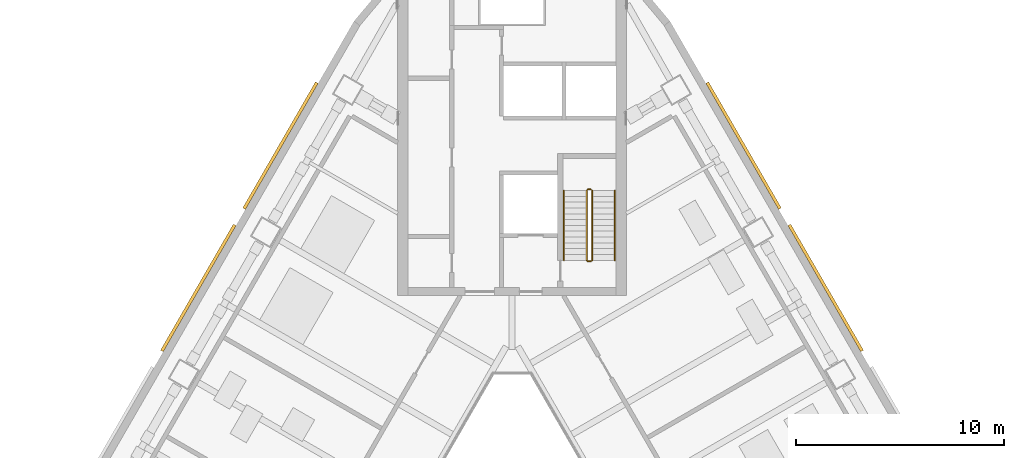
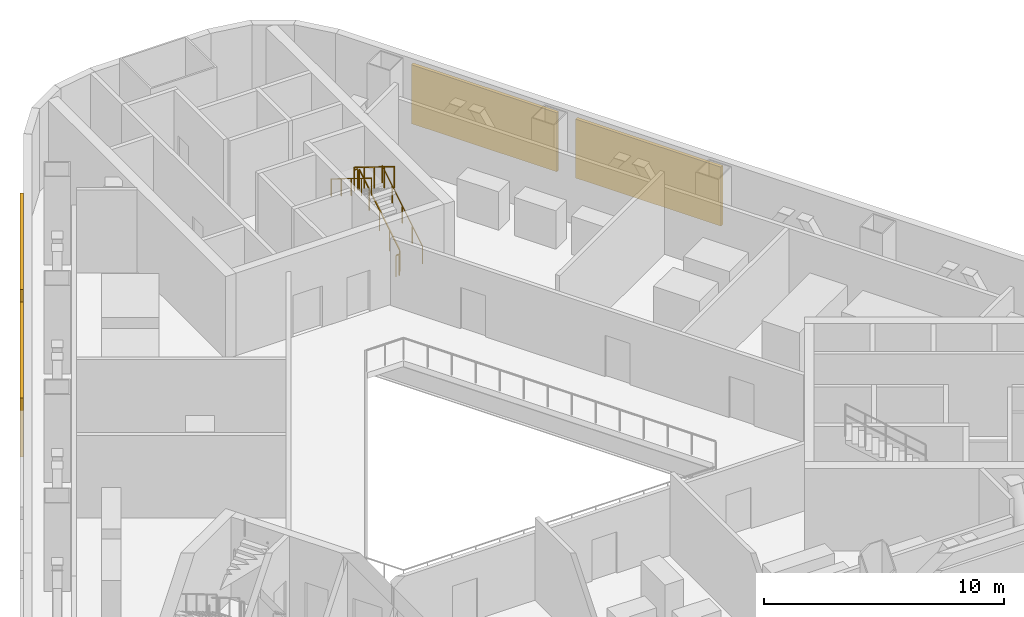
# One storey, part 14 of 15: 6 railings, 4 shading devices.
"""IFC4 building model written with IfcOpenShell, lengths in metres."""

from ifc_helpers import new_model, si_unit, direction, frame, origin, origin_2d, place, context, subcontext, project, spatial, rectangle, circle, extrude, material, type_object, element, save


model = new_model("IFC4")

# Units and contexts
model_context = context("Model", 3, precision=1e-05, world=origin(), true_north=direction((0.0, 1.0)))
body_context = subcontext(model_context, "Body", "Model", "MODEL_VIEW")
ifc_project = project(units=[si_unit("LENGTHUNIT", "METRE"), si_unit("AREAUNIT", "SQUARE_METRE"), si_unit("VOLUMEUNIT", "CUBIC_METRE"), si_unit("PLANEANGLEUNIT", "RADIAN"), si_unit("MASSUNIT", "GRAM", prefix="KILO")], contexts=[model_context])

# Site, building, storey
site_placement = place(None, origin())
site = spatial("IfcSite", under=ifc_project, at=site_placement, CompositionType="ELEMENT")
building_placement = place(site_placement, origin())
building = spatial("IfcBuilding", under=site, at=building_placement, Name="Apuvela Tower Hotel", CompositionType="ELEMENT")
storey_placement = place(building_placement, frame((0.0, 0.0, 37.5)))
storey = spatial("IfcBuildingStorey", under=building, at=storey_placement, Name="L06 Plant", CompositionType="ELEMENT", Elevation=37.5)

# Railings
ifc_material_1 = material(Name="Steel S275 balustrade", Category="steel")
railing_type_1 = type_object("IfcRailingType", Name="COR-GUARD-1100", PredefinedType="GUARDRAIL", material=ifc_material_1)
railing_1_placement = place(storey_placement, frame((3.85009765625, 14.60009765625, 0.173095703125)))
element("IfcRailing", 1, at=railing_1_placement, inside=storey, type_object=railing_type_1, Name="L06 Plant ST1 stair guard 1", PredefinedType="GUARDRAIL", context=body_context, shape_type="SweptSolid", body=[
    extrude(rectangle(XDim=0.048095703125, YDim=0.048095703125, at=origin_2d()), frame((0.0, 0.0, 1.076171875), z_axis=(0.0, 0.850606129759, 0.525803396734), x_axis=(-1.0, 0.0, 0.0)), (0.0, 0.0, 1.0), 3.949951171875),
    extrude(rectangle(XDim=0.0419921875, YDim=0.0419921875, at=origin_2d()), origin(), (0.0, 0.0, 1.0), 1.052001953125),
    extrude(rectangle(XDim=0.0419921875, YDim=0.0419921875, at=origin_2d()), frame((0.0, 0.83984375, 0.519287109375)), (0.0, 0.0, 1.0), 1.052001953125),
    extrude(rectangle(XDim=0.0419921875, YDim=0.0419921875, at=origin_2d()), frame((0.0, 1.679931640625, 1.03857421875)), (0.0, 0.0, 1.0), 1.052001953125),
    extrude(rectangle(XDim=0.0419921875, YDim=0.0419921875, at=origin_2d()), frame((0.0, 2.52001953125, 1.5576171875)), (0.0, 0.0, 1.0), 1.052001953125),
    extrude(rectangle(XDim=0.0419921875, YDim=0.0419921875, at=origin_2d()), frame((0.0, 3.35986328125, 2.076904296875)), (0.0, 0.0, 1.0), 1.052001953125),
])
railing_2_placement = place(storey_placement, frame((3.800048828125, 18.010009765625, 2.25)))
element("IfcRailing", 2, at=railing_2_placement, inside=storey, type_object=railing_type_1, Name="L06 Plant ST1 stair guard 2", PredefinedType="GUARDRAIL", context=body_context, shape_type="SweptSolid", body=[
    extrude(rectangle(XDim=0.048095703125, YDim=0.048095703125, at=origin_2d()), frame((0.0, 0.0, 1.076171875), z_axis=(-1.0, 0.0, 0.0), x_axis=(0.0, -1.0, 0.0)), (0.0, 0.0, 1.0), 0.150146484375),
    extrude(rectangle(XDim=0.0419921875, YDim=0.0419921875, at=origin_2d()), origin(), (0.0, 0.0, 1.0), 1.052001953125),
    extrude(rectangle(XDim=0.0419921875, YDim=0.0419921875, at=origin_2d()), frame((-0.150146484375, 0.0, 0.0)), (0.0, 0.0, 1.0), 1.052001953125),
])
railing_3_placement = place(storey_placement, frame((3.60009765625, 17.9599609375, 2.423095703125)))
element("IfcRailing", 3, at=railing_3_placement, inside=storey, type_object=railing_type_1, Name="L06 Plant ST1 stair guard 3", PredefinedType="GUARDRAIL", context=body_context, shape_type="SweptSolid", body=[
    extrude(rectangle(XDim=0.048095703125, YDim=0.048095703125, at=origin_2d()), frame((0.0, 0.0, 1.076171875), z_axis=(0.0, -0.850606129759, 0.525803396734), x_axis=(1.0, 0.0, 0.0)), (0.0, 0.0, 1.0), 3.949951171875),
    extrude(rectangle(XDim=0.0419921875, YDim=0.0419921875, at=origin_2d()), origin(), (0.0, 0.0, 1.0), 1.052001953125),
    extrude(rectangle(XDim=0.0419921875, YDim=0.0419921875, at=origin_2d()), frame((0.0, -0.83984375, 0.519287109375)), (0.0, 0.0, 1.0), 1.052001953125),
    extrude(rectangle(XDim=0.0419921875, YDim=0.0419921875, at=origin_2d()), frame((0.0, -1.679931640625, 1.03857421875)), (0.0, 0.0, 1.0), 1.052001953125),
    extrude(rectangle(XDim=0.0419921875, YDim=0.0419921875, at=origin_2d()), frame((0.0, -2.52001953125, 1.5576171875)), (0.0, 0.0, 1.0), 1.052001953125),
    extrude(rectangle(XDim=0.0419921875, YDim=0.0419921875, at=origin_2d()), frame((0.0, -3.35986328125, 2.076904296875)), (0.0, 0.0, 1.0), 1.052001953125),
])
railing_4_placement = place(storey_placement, frame((3.800048828125, 14.550048828125, 0.0)))
element("IfcRailing", 4, at=railing_4_placement, inside=storey, type_object=railing_type_1, Name="L06 Plant ST1 stair guard 4", PredefinedType="GUARDRAIL", context=body_context, shape_type="SweptSolid", body=[
    extrude(rectangle(XDim=0.048095703125, YDim=0.048095703125, at=origin_2d()), frame((0.0, 0.0, 1.076171875), z_axis=(-1.0, 0.0, 0.0), x_axis=(0.0, -1.0, 0.0)), (0.0, 0.0, 1.0), 0.150146484375),
    extrude(rectangle(XDim=0.0419921875, YDim=0.0419921875, at=origin_2d()), origin(), (0.0, 0.0, 1.0), 1.052001953125),
    extrude(rectangle(XDim=0.0419921875, YDim=0.0419921875, at=origin_2d()), frame((-0.150146484375, 0.0, 0.0)), (0.0, 0.0, 1.0), 1.052001953125),
])
ifc_material_2 = material(Name="Stainless steel 316 handrail", Category="steel")
railing_type_2 = type_object("IfcRailingType", Name="COR-HANDRAIL-900", PredefinedType="HANDRAIL", material=ifc_material_2)
railing_5_placement = place(storey_placement, frame((4.949951171875, 14.60009765625, 0.173095703125)))
element("IfcRailing", 5, at=railing_5_placement, inside=storey, type_object=railing_type_2, Name="L06 Plant ST1 stair handrail 1", PredefinedType="HANDRAIL", context=body_context, shape_type="SweptSolid", body=[
    extrude(circle(Radius=0.02392578125, at=origin_2d()), frame((0.0, 0.0, 0.8759765625), z_axis=(0.0, 0.850606129759, 0.525803396734), x_axis=(-1.0, 0.0, 0.0)), (0.0, 0.0, 1.0), 3.949951171875),
    extrude(rectangle(XDim=0.0419921875, YDim=0.0419921875, at=origin_2d()), origin(), (0.0, 0.0, 1.0), 0.851806640625),
    extrude(rectangle(XDim=0.0419921875, YDim=0.0419921875, at=origin_2d()), frame((0.0, 0.83984375, 0.519287109375)), (0.0, 0.0, 1.0), 0.851806640625),
    extrude(rectangle(XDim=0.0419921875, YDim=0.0419921875, at=origin_2d()), frame((0.0, 1.679931640625, 1.03857421875)), (0.0, 0.0, 1.0), 0.851806640625),
    extrude(rectangle(XDim=0.0419921875, YDim=0.0419921875, at=origin_2d()), frame((0.0, 2.52001953125, 1.5576171875)), (0.0, 0.0, 1.0), 0.851806640625),
    extrude(rectangle(XDim=0.0419921875, YDim=0.0419921875, at=origin_2d()), frame((0.0, 3.35986328125, 2.076904296875)), (0.0, 0.0, 1.0), 0.851806640625),
])
railing_6_placement = place(storey_placement, frame((2.5, 17.9599609375, 2.423095703125)))
element("IfcRailing", 6, at=railing_6_placement, inside=storey, type_object=railing_type_2, Name="L06 Plant ST1 stair handrail 2", PredefinedType="HANDRAIL", context=body_context, shape_type="SweptSolid", body=[
    extrude(circle(Radius=0.02392578125, at=origin_2d()), frame((0.0, 0.0, 0.8759765625), z_axis=(0.0, -0.850606129759, 0.525803396734), x_axis=(1.0, 0.0, 0.0)), (0.0, 0.0, 1.0), 3.949951171875),
    extrude(rectangle(XDim=0.0419921875, YDim=0.0419921875, at=origin_2d()), origin(), (0.0, 0.0, 1.0), 0.851806640625),
    extrude(rectangle(XDim=0.0419921875, YDim=0.0419921875, at=origin_2d()), frame((0.0, -0.83984375, 0.519287109375)), (0.0, 0.0, 1.0), 0.851806640625),
    extrude(rectangle(XDim=0.0419921875, YDim=0.0419921875, at=origin_2d()), frame((0.0, -1.679931640625, 1.03857421875)), (0.0, 0.0, 1.0), 0.851806640625),
    extrude(rectangle(XDim=0.0419921875, YDim=0.0419921875, at=origin_2d()), frame((0.0, -2.52001953125, 1.5576171875)), (0.0, 0.0, 1.0), 0.851806640625),
    extrude(rectangle(XDim=0.0419921875, YDim=0.0419921875, at=origin_2d()), frame((0.0, -3.35986328125, 2.076904296875)), (0.0, 0.0, 1.0), 0.851806640625),
])

# Shading devices
ifc_material_3 = material(Name="Aluminium 6063-T6, black anodised louvre blades", Category="aluminium")
shading_device_type = type_object("IfcShadingDeviceType", Name="ENV-LOUVRE-SCREEN", PredefinedType="USERDEFINED", material=ifc_material_3)
for number, where, z_axis, x_axis, name in (
    (7, (15.090087890625, 13.273193359375, 0.60009765625), (0.0, 0.0, 1.0), (-0.5, 0.866025403784, 0.0), "Plant louvre NE7"),
    (8, (11.14013671875, 20.114990234375, 0.60009765625), (0.0, 0.0, 1.0), (-0.5, 0.866025403784, 0.0), "Plant louvre NE8"),
    (9, (-11.139892578125, 20.114990234375, 0.60009765625), (0.0, 0.0, 1.0), (-0.5, -0.866025403784, 0.0), "Plant louvre NW9"),
    (10, (-15.090087890625, 13.273193359375, 0.60009765625), (0.0, 0.0, 1.0), (-0.5, -0.866025403784, 0.0), "Plant louvre NW10"),
):
    element("IfcShadingDevice", number, at=place(storey_placement, frame(where, z_axis=z_axis, x_axis=x_axis)), inside=storey, type_object=shading_device_type, Name=name, ObjectType="LOUVRE", PredefinedType="USERDEFINED", context=body_context, shape_type="SweptSolid", body=[
        extrude(rectangle(XDim=7.0, YDim=0.14990234375, at=origin_2d()), origin(), (0.0, 0.0, 1.0), 3.0),
    ])

save(model, "model.ifc")
